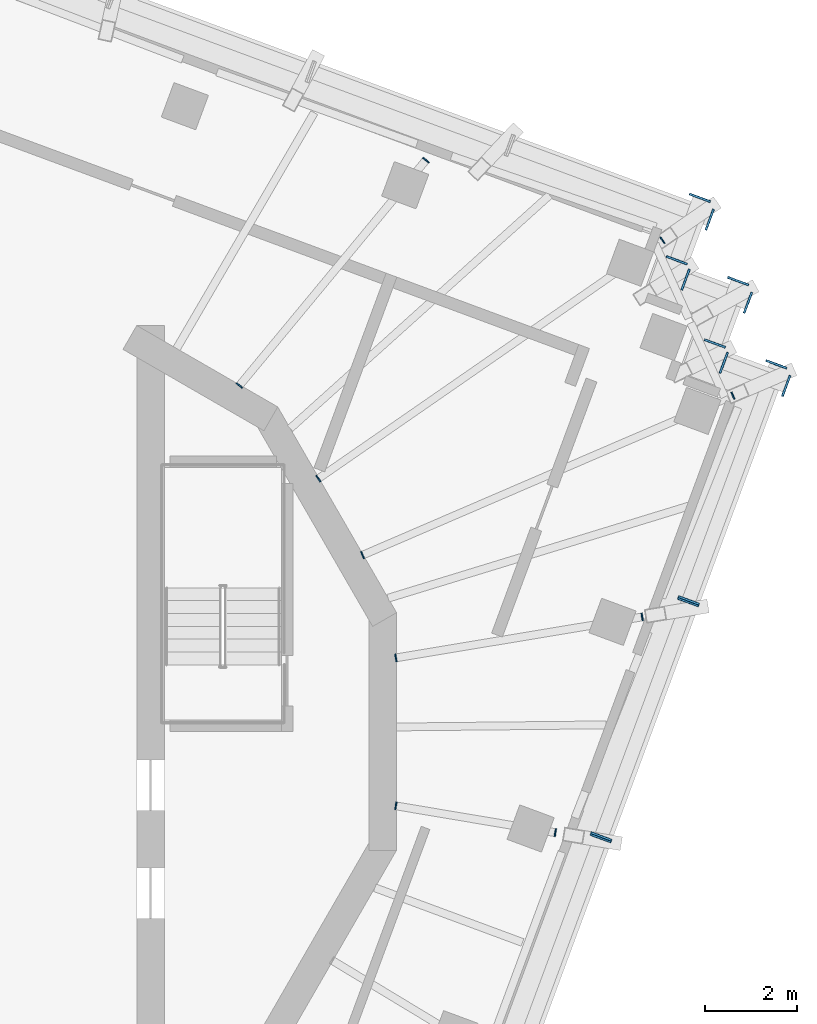
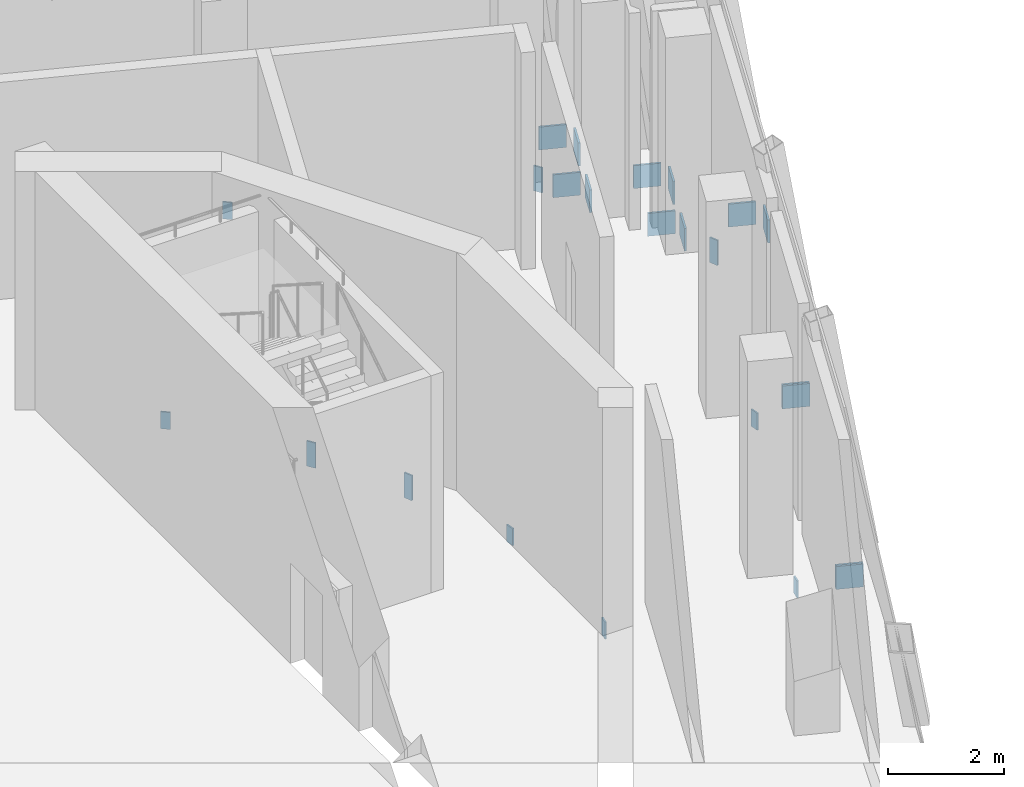
# One storey, part 10 of 13: 24 discrete accessories, 8 elements without a shape of their own.
"""IFC4 building model written with IfcOpenShell, lengths in metres."""

from ifc_helpers import new_model, si_unit, direction, frame, origin, place, context, subcontext, project, spatial, polyline, outline, extrude, material, layer, layer_set, type_object, element, aggregate, save


model = new_model("IFC4")

# Units and contexts
model_context = context("Model", 3, precision=1e-05, world=origin(), true_north=direction((0.0, 1.0)))
body_context = subcontext(model_context, "Body", "Model", "MODEL_VIEW")
ifc_project = project(units=[si_unit("LENGTHUNIT", "METRE"), si_unit("AREAUNIT", "SQUARE_METRE"), si_unit("VOLUMEUNIT", "CUBIC_METRE"), si_unit("PLANEANGLEUNIT", "RADIAN"), si_unit("MASSUNIT", "GRAM", prefix="KILO")], contexts=[model_context])

# Site, building, storey
site_placement = place(None, origin())
site = spatial("IfcSite", under=ifc_project, at=site_placement, CompositionType="ELEMENT")
building_placement = place(site_placement, origin())
building = spatial("IfcBuilding", under=site, at=building_placement, Name="Cantera Rosa Tower", CompositionType="ELEMENT")
storey_placement = place(building_placement, frame((0.0, 0.0, 350.699951171875)))
storey = spatial("IfcBuildingStorey", under=building, at=storey_placement, Name="L79", CompositionType="ELEMENT", Elevation=350.699951171875)

# Curtain wall, discrete accessory
ifc_material_1 = material(Name="Aluminium frame with clear glass", Category="aluminium")
curtain_wall_type = type_object("IfcCurtainWallType", Name="CW4 CROWN GLAZING", PredefinedType="NOTDEFINED", material=ifc_material_1)
curtain_wall_1_placement = place(storey_placement, origin())
curtain_wall_1 = element("IfcCurtainWall", 1, at=curtain_wall_1_placement, inside=storey, type_object=curtain_wall_type, Name="CW4 L79-01", PredefinedType="NOTDEFINED")
ifc_material_2 = material(Name="Steel S355J2 (EN 10025-2)", Category="steel")
ifc_layer = layer(ifc_material_2, 0.030029296875)
ifc_layer_set = layer_set([ifc_layer], Name="NODE PLATE 30")
discrete_accessory_type = type_object("IfcDiscreteAccessoryType", Name="NODE PLATE 30", PredefinedType="ANCHORPLATE", material=ifc_layer_set)
discrete_accessory_1_placement = place(storey_placement, frame((16.584716796875, 11.37109375, -0.43505859375), z_axis=(0.937681233018, -0.347496626235, 0.0), x_axis=(-0.347496626235, -0.937681233018, 0.0)))
discrete_accessory_1 = element("IfcDiscreteAccessory", 2, at=discrete_accessory_1_placement, type_object=discrete_accessory_type, Name="END PLATE TE0", PredefinedType="ANCHORPLATE", context=body_context, shape_type="SweptSolid", body=[
    extrude(outline(polyline([(0.0, 0.0), (0.4798551533622547, 0.0), (0.4798551533622547, 0.47998046875), (0.0, 0.47998046875), (0.0, 0.0)])), origin(), (0.0, 0.0, -1.0), 0.0400390625),
])
aggregate(curtain_wall_1, [discrete_accessory_1])

curtain_wall_2_placement = place(storey_placement, origin())
curtain_wall_2 = element("IfcCurtainWall", 3, at=curtain_wall_2_placement, inside=storey, type_object=curtain_wall_type, Name="CW4 L79-30", PredefinedType="NOTDEFINED")
discrete_accessory_2_placement = place(storey_placement, frame((13.902587890625, -2.184814453125, -0.43505859375), z_axis=(0.347330918501, 0.937742626232, 0.0), x_axis=(0.937742626232, -0.347330918501, 0.0)))
discrete_accessory_2 = element("IfcDiscreteAccessory", 4, at=discrete_accessory_2_placement, type_object=discrete_accessory_type, Name="END PLATE TE1", PredefinedType="ANCHORPLATE", context=body_context, shape_type="SweptSolid", body=[
    extrude(outline(polyline([(0.0, 0.0), (0.4800840869406107, 0.0), (0.4800840869406107, 0.47998046875), (0.0, 0.47998046875), (0.0, 0.0)])), origin(), (0.0, 0.0, -1.0), 0.0400390625),
])
aggregate(curtain_wall_2, [discrete_accessory_2])

# Curtain wall, discrete accessories
curtain_wall_3_placement = place(storey_placement, origin())
curtain_wall_3 = element("IfcCurtainWall", 5, at=curtain_wall_3_placement, inside=storey, type_object=curtain_wall_type, Name="CW4 L79-31", PredefinedType="NOTDEFINED")
discrete_accessory_3_placement = place(storey_placement, frame((14.324951171875, -2.426513671875, -0.43505859375), z_axis=(-0.347330918501, -0.937742626232, 0.0), x_axis=(-0.937742626232, 0.347330918501, 0.0)))
discrete_accessory_3 = element("IfcDiscreteAccessory", 6, at=discrete_accessory_3_placement, type_object=discrete_accessory_type, Name="END PLATE TE0", PredefinedType="ANCHORPLATE", context=body_context, shape_type="SweptSolid", body=[
    extrude(outline(polyline([(0.0, 0.0), (0.4800840869406107, 0.0), (0.4800840869406107, 0.47998046875), (0.0, 0.47998046875), (0.0, 0.0)])), origin(), (0.0, 0.0, -1.0), 0.0400390625),
])
discrete_accessory_4_placement = place(storey_placement, frame((15.808349609375, 2.9580078125, -0.43505859375), z_axis=(0.347330918501, 0.937742626232, 0.0), x_axis=(0.937742626232, -0.347330918501, 0.0)))
discrete_accessory_4 = element("IfcDiscreteAccessory", 7, at=discrete_accessory_4_placement, type_object=discrete_accessory_type, Name="END PLATE TE1", PredefinedType="ANCHORPLATE", context=body_context, shape_type="SweptSolid", body=[
    extrude(outline(polyline([(0.0, 0.0), (0.4800840869406107, 0.0), (0.4800840869406107, 0.47998046875), (0.0, 0.47998046875), (0.0, 0.0)])), origin(), (0.0, 0.0, -1.0), 0.0400390625),
])
aggregate(curtain_wall_3, [discrete_accessory_3, discrete_accessory_4])

curtain_wall_4_placement = place(storey_placement, origin())
curtain_wall_4 = element("IfcCurtainWall", 8, at=curtain_wall_4_placement, inside=storey, type_object=curtain_wall_type, Name="CW4 L79-32", PredefinedType="NOTDEFINED")
discrete_accessory_5_placement = place(storey_placement, frame((16.230712890625, 2.716064453125, -0.43505859375), z_axis=(-0.347330918501, -0.937742626232, 0.0), x_axis=(-0.937742626232, 0.347330918501, 0.0)))
discrete_accessory_5 = element("IfcDiscreteAccessory", 9, at=discrete_accessory_5_placement, type_object=discrete_accessory_type, Name="END PLATE TE0", PredefinedType="ANCHORPLATE", context=body_context, shape_type="SweptSolid", body=[
    extrude(outline(polyline([(0.0, 0.0), (0.4800840869406107, 0.0), (0.4800840869406107, 0.47998046875), (0.0, 0.47998046875), (0.0, 0.0)])), origin(), (0.0, 0.0, -1.0), 0.0400390625),
])
discrete_accessory_6_placement = place(storey_placement, frame((17.714111328125, 8.1005859375, -0.43505859375), z_axis=(0.347330918501, 0.937742626232, 0.0), x_axis=(0.937742626232, -0.347330918501, 0.0)))
discrete_accessory_6 = element("IfcDiscreteAccessory", 10, at=discrete_accessory_6_placement, type_object=discrete_accessory_type, Name="END PLATE TE1", PredefinedType="ANCHORPLATE", context=body_context, shape_type="SweptSolid", body=[
    extrude(outline(polyline([(0.0, 0.0), (0.4800840869406107, 0.0), (0.4800840869406107, 0.47998046875), (0.0, 0.47998046875), (0.0, 0.0)])), origin(), (0.0, 0.0, -1.0), 0.0400390625),
])
aggregate(curtain_wall_4, [discrete_accessory_5, discrete_accessory_6])

curtain_wall_5_placement = place(storey_placement, origin())
curtain_wall_5 = element("IfcCurtainWall", 11, at=curtain_wall_5_placement, inside=storey, type_object=curtain_wall_type, Name="CW4 L79-33", PredefinedType="NOTDEFINED")
discrete_accessory_7_placement = place(storey_placement, frame((18.25048828125, 7.746826171875, -0.43505859375), z_axis=(0.937742626232, -0.347330918501, 0.0), x_axis=(-0.347330918501, -0.937742626232, 0.0)))
discrete_accessory_7 = element("IfcDiscreteAccessory", 12, at=discrete_accessory_7_placement, type_object=discrete_accessory_type, Name="END PLATE TE0", PredefinedType="ANCHORPLATE", context=body_context, shape_type="SweptSolid", body=[
    extrude(outline(polyline([(0.0, 0.0), (0.4800840869406107, 0.0), (0.4800840869406107, 0.47998046875), (0.0, 0.47998046875), (0.0, 0.0)])), origin(), (0.0, 0.0, -1.0), 0.0400390625),
])
discrete_accessory_8_placement = place(storey_placement, frame((16.6865234375, 7.814453125, -0.43505859375), z_axis=(-0.937576914778, 0.347777987911, 0.0), x_axis=(0.347777987911, 0.937576914778, 0.0)))
discrete_accessory_8 = element("IfcDiscreteAccessory", 13, at=discrete_accessory_8_placement, type_object=discrete_accessory_type, Name="END PLATE TE1", PredefinedType="ANCHORPLATE", context=body_context, shape_type="SweptSolid", body=[
    extrude(outline(polyline([(0.0, 0.0), (0.4801689391068604, 0.0), (0.4801689391068604, 0.47998046875), (0.0, 0.47998046875), (0.0, 0.0)])), origin(), (0.0, 0.0, -1.0), 0.0400390625),
])
aggregate(curtain_wall_5, [discrete_accessory_7, discrete_accessory_8])

curtain_wall_6_placement = place(storey_placement, origin())
curtain_wall_6 = element("IfcCurtainWall", 14, at=curtain_wall_6_placement, inside=storey, type_object=curtain_wall_type, Name="CW4 L79-34", PredefinedType="NOTDEFINED")
discrete_accessory_9_placement = place(storey_placement, frame((16.814697265625, 8.349609375, -0.43505859375), z_axis=(-0.347330918501, -0.937742626232, 0.0), x_axis=(-0.937742626232, 0.347330918501, 0.0)))
discrete_accessory_9 = element("IfcDiscreteAccessory", 15, at=discrete_accessory_9_placement, type_object=discrete_accessory_type, Name="END PLATE TE0", PredefinedType="ANCHORPLATE", context=body_context, shape_type="SweptSolid", body=[
    extrude(outline(polyline([(0.0, 0.0), (0.4800840869406107, 0.0), (0.4800840869406107, 0.47998046875), (0.0, 0.47998046875), (0.0, 0.0)])), origin(), (0.0, 0.0, -1.0), 0.0400390625),
])
discrete_accessory_10_placement = place(storey_placement, frame((16.88232421875, 9.91357421875, -0.43505859375), z_axis=(0.347330918501, 0.937742626232, 0.0), x_axis=(0.937742626232, -0.347330918501, 0.0)))
discrete_accessory_10 = element("IfcDiscreteAccessory", 16, at=discrete_accessory_10_placement, type_object=discrete_accessory_type, Name="END PLATE TE1", PredefinedType="ANCHORPLATE", context=body_context, shape_type="SweptSolid", body=[
    extrude(outline(polyline([(0.0, 0.0), (0.4800840869406107, 0.0), (0.4800840869406107, 0.47998046875), (0.0, 0.47998046875), (0.0, 0.0)])), origin(), (0.0, 0.0, -1.0), 0.0400390625),
])
aggregate(curtain_wall_6, [discrete_accessory_9, discrete_accessory_10])

curtain_wall_7_placement = place(storey_placement, origin())
curtain_wall_7 = element("IfcCurtainWall", 17, at=curtain_wall_7_placement, inside=storey, type_object=curtain_wall_type, Name="CW4 L79-35", PredefinedType="NOTDEFINED")
discrete_accessory_11_placement = place(storey_placement, frame((17.41748046875, 9.55908203125, -0.43505859375), z_axis=(0.937742626232, -0.347330918501, 0.0), x_axis=(-0.347330918501, -0.937742626232, 0.0)))
discrete_accessory_11 = element("IfcDiscreteAccessory", 18, at=discrete_accessory_11_placement, type_object=discrete_accessory_type, Name="END PLATE TE0", PredefinedType="ANCHORPLATE", context=body_context, shape_type="SweptSolid", body=[
    extrude(outline(polyline([(0.0, 0.0), (0.4800840869406107, 0.0), (0.4800840869406107, 0.47998046875), (0.0, 0.47998046875), (0.0, 0.0)])), origin(), (0.0, 0.0, -1.0), 0.0400390625),
])
discrete_accessory_12_placement = place(storey_placement, frame((15.853759765625, 9.626708984375, -0.43505859375), z_axis=(-0.937681233018, 0.347496626235, 0.0), x_axis=(0.347496626235, 0.937681233018, 0.0)))
discrete_accessory_12 = element("IfcDiscreteAccessory", 19, at=discrete_accessory_12_placement, type_object=discrete_accessory_type, Name="END PLATE TE1", PredefinedType="ANCHORPLATE", context=body_context, shape_type="SweptSolid", body=[
    extrude(outline(polyline([(0.0, 0.0), (0.4798551533622547, 0.0), (0.4798551533622547, 0.47998046875), (0.0, 0.47998046875), (0.0, 0.0)])), origin(), (0.0, 0.0, -1.0), 0.0400390625),
])
aggregate(curtain_wall_7, [discrete_accessory_11, discrete_accessory_12])

curtain_wall_8_placement = place(storey_placement, origin())
curtain_wall_8 = element("IfcCurtainWall", 20, at=curtain_wall_8_placement, inside=storey, type_object=curtain_wall_type, Name="CW4 L79-36", PredefinedType="NOTDEFINED")
discrete_accessory_13_placement = place(storey_placement, frame((15.98291015625, 10.16259765625, -0.43505859375), z_axis=(-0.347330918501, -0.937742626232, 0.0), x_axis=(-0.937742626232, 0.347330918501, 0.0)))
discrete_accessory_13 = element("IfcDiscreteAccessory", 21, at=discrete_accessory_13_placement, type_object=discrete_accessory_type, Name="END PLATE TE0", PredefinedType="ANCHORPLATE", context=body_context, shape_type="SweptSolid", body=[
    extrude(outline(polyline([(0.0, 0.0), (0.4800840869406107, 0.0), (0.4800840869406107, 0.47998046875), (0.0, 0.47998046875), (0.0, 0.0)])), origin(), (0.0, 0.0, -1.0), 0.0400390625),
])
discrete_accessory_14_placement = place(storey_placement, frame((16.050537109375, 11.7265625, -0.43505859375), z_axis=(0.347496626235, 0.937681233018, 0.0), x_axis=(0.937681233018, -0.347496626235, 0.0)))
discrete_accessory_14 = element("IfcDiscreteAccessory", 22, at=discrete_accessory_14_placement, type_object=discrete_accessory_type, Name="END PLATE TE1", PredefinedType="ANCHORPLATE", context=body_context, shape_type="SweptSolid", body=[
    extrude(outline(polyline([(0.0, 0.0), (0.4798551533622547, 0.0), (0.4798551533622547, 0.47998046875), (0.0, 0.47998046875), (0.0, 0.0)])), origin(), (0.0, 0.0, -1.0), 0.0400390625),
])
aggregate(curtain_wall_8, [discrete_accessory_13, discrete_accessory_14])

# Discrete accessories
discrete_accessory_15_placement = place(storey_placement, frame((0.0, 0.0, -0.97802734375)))
element("IfcDiscreteAccessory", 23, at=discrete_accessory_15_placement, inside=storey, type_object=discrete_accessory_type, Name="END PLATE CG-Z6-01 L79 A", PredefinedType="ANCHORPLATE", context=body_context, shape_type="SweptSolid", body=[
    extrude(outline(polyline([(15.3935546875, 10.759765625), (15.418212890625, 10.77685546875), (15.5126953125, 10.640380859375), (15.488037109375, 10.623291015625), (15.3935546875, 10.759765625)])), origin(), (0.0, 0.0, 1.0), 0.528076171875),
])
discrete_accessory_16_placement = place(storey_placement, frame((0.0, 0.0, -0.97802734375)))
element("IfcDiscreteAccessory", 24, at=discrete_accessory_16_placement, inside=storey, type_object=discrete_accessory_type, Name="END PLATE CG-Z6-01 L79 B", PredefinedType="ANCHORPLATE", context=body_context, shape_type="SweptSolid", body=[
    extrude(outline(polyline([(8.015380859375, 5.448974609375), (7.99072265625, 5.431884765625), (7.896240234375, 5.568359375), (7.9208984375, 5.58544921875), (8.015380859375, 5.448974609375)])), origin(), (0.0, 0.0, 1.0), 0.528076171875),
])
discrete_accessory_17_placement = place(storey_placement, frame((0.0, 0.0, -0.805908203125)))
element("IfcDiscreteAccessory", 25, at=discrete_accessory_17_placement, inside=storey, type_object=discrete_accessory_type, Name="END PLATE CG-Z6-02 L79 A", PredefinedType="ANCHORPLATE", context=body_context, shape_type="SweptSolid", body=[
    extrude(outline(polyline([(10.223388671875, 12.489013671875), (10.24267578125, 12.51220703125), (10.374267578125, 12.403076171875), (10.355224609375, 12.380126953125), (10.223388671875, 12.489013671875)])), origin(), (0.0, 0.0, 1.0), 0.35595703125),
])
discrete_accessory_18_placement = place(storey_placement, frame((0.0, 0.0, -0.805908203125)))
element("IfcDiscreteAccessory", 26, at=discrete_accessory_18_placement, inside=storey, type_object=discrete_accessory_type, Name="END PLATE CG-Z6-02 L79 B", PredefinedType="ANCHORPLATE", context=body_context, shape_type="SweptSolid", body=[
    extrude(outline(polyline([(6.3115234375, 7.4931640625), (6.292236328125, 7.469970703125), (6.16064453125, 7.5791015625), (6.1796875, 7.602294921875), (6.3115234375, 7.4931640625)])), origin(), (0.0, 0.0, 1.0), 0.35595703125),
])
discrete_accessory_19_placement = place(storey_placement, frame((0.0, 0.0, -0.805908203125)))
element("IfcDiscreteAccessory", 27, at=discrete_accessory_19_placement, inside=storey, type_object=discrete_accessory_type, Name="END PLATE CG-Z6-14 L79 A", PredefinedType="ANCHORPLATE", context=body_context, shape_type="SweptSolid", body=[
    extrude(outline(polyline([(13.117919921875, -2.1171875), (13.1474609375, -2.122314453125), (13.119140625, -2.290771484375), (13.08935546875, -2.285888671875), (13.117919921875, -2.1171875)])), origin(), (0.0, 0.0, 1.0), 0.35595703125),
])
discrete_accessory_20_placement = place(storey_placement, frame((0.0, 0.0, -0.805908203125)))
element("IfcDiscreteAccessory", 28, at=discrete_accessory_20_placement, inside=storey, type_object=discrete_accessory_type, Name="END PLATE CG-Z6-14 L79 B", PredefinedType="ANCHORPLATE", context=body_context, shape_type="SweptSolid", body=[
    extrude(outline(polyline([(9.64501953125, -1.707275390625), (9.615478515625, -1.7021484375), (9.643798828125, -1.53369140625), (9.67333984375, -1.53857421875), (9.64501953125, -1.707275390625)])), origin(), (0.0, 0.0, 1.0), 0.35595703125),
])
discrete_accessory_21_placement = place(storey_placement, frame((0.0, 0.0, -0.805908203125)))
element("IfcDiscreteAccessory", 29, at=discrete_accessory_21_placement, inside=storey, type_object=discrete_accessory_type, Name="END PLATE CG-Z6-15 L79 A", PredefinedType="ANCHORPLATE", context=body_context, shape_type="SweptSolid", body=[
    extrude(outline(polyline([(14.981689453125, 2.577392578125), (15.01123046875, 2.582275390625), (15.039306640625, 2.41357421875), (15.009765625, 2.40869140625), (14.981689453125, 2.577392578125)])), origin(), (0.0, 0.0, 1.0), 0.35595703125),
])
discrete_accessory_22_placement = place(storey_placement, frame((0.0, 0.0, -0.805908203125)))
element("IfcDiscreteAccessory", 30, at=discrete_accessory_22_placement, inside=storey, type_object=discrete_accessory_type, Name="END PLATE CG-Z6-15 L79 B", PredefinedType="ANCHORPLATE", context=body_context, shape_type="SweptSolid", body=[
    extrude(outline(polyline([(9.67333984375, 1.521484375), (9.643798828125, 1.5166015625), (9.61572265625, 1.685302734375), (9.645263671875, 1.690185546875), (9.67333984375, 1.521484375)])), origin(), (0.0, 0.0, 1.0), 0.35595703125),
])
discrete_accessory_23_placement = place(storey_placement, frame((0.0, 0.0, -0.97802734375)))
element("IfcDiscreteAccessory", 31, at=discrete_accessory_23_placement, inside=storey, type_object=discrete_accessory_type, Name="END PLATE CG-Z6-16 L79 A", PredefinedType="ANCHORPLATE", context=body_context, shape_type="SweptSolid", body=[
    extrude(outline(polyline([(16.940185546875, 7.386474609375), (16.9677734375, 7.398193359375), (17.033447265625, 7.245849609375), (17.005859375, 7.23388671875), (16.940185546875, 7.386474609375)])), origin(), (0.0, 0.0, 1.0), 0.528076171875),
])
discrete_accessory_24_placement = place(storey_placement, frame((0.0, 0.0, -0.97802734375)))
element("IfcDiscreteAccessory", 32, at=discrete_accessory_24_placement, inside=storey, type_object=discrete_accessory_type, Name="END PLATE CG-Z6-16 L79 B", PredefinedType="ANCHORPLATE", context=body_context, shape_type="SweptSolid", body=[
    extrude(outline(polyline([(8.96533203125, 3.770751953125), (8.937744140625, 3.759033203125), (8.8720703125, 3.911376953125), (8.899658203125, 3.92333984375), (8.96533203125, 3.770751953125)])), origin(), (0.0, 0.0, 1.0), 0.528076171875),
])

save(model, "model.ifc")
